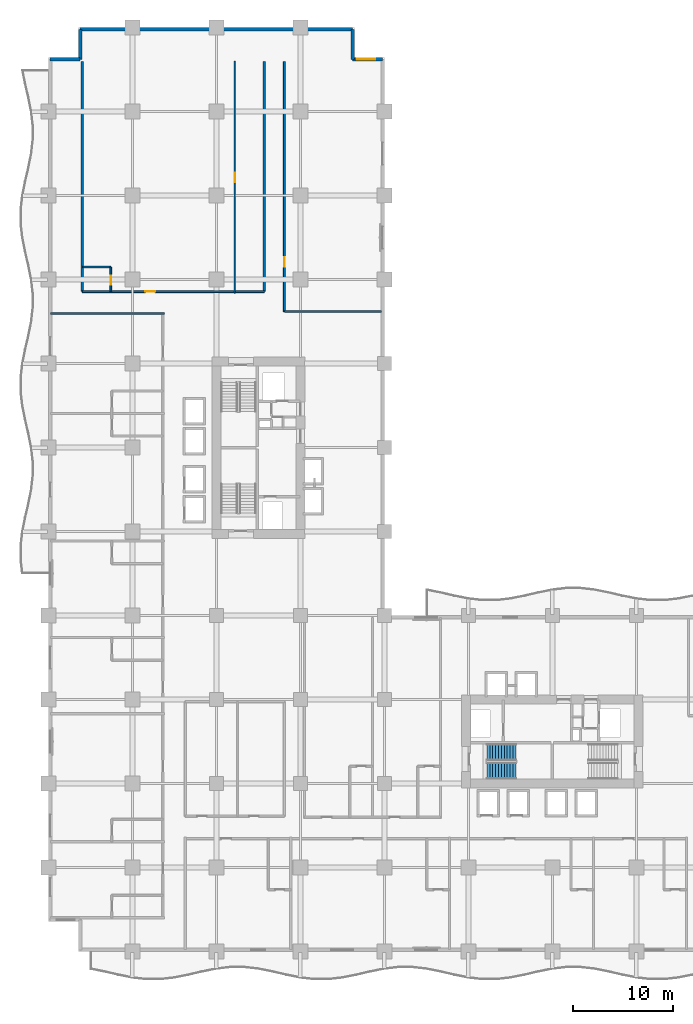
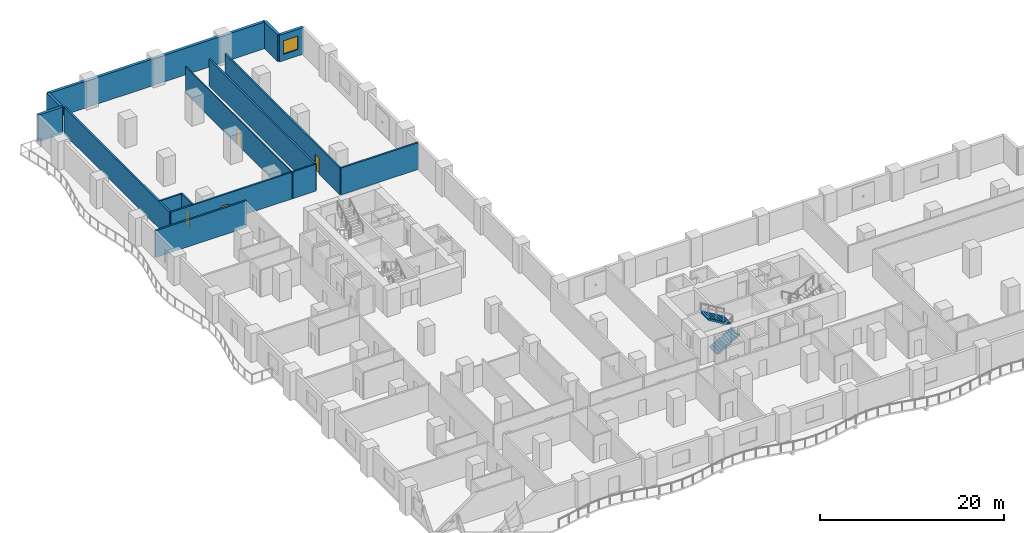
# One storey, part 13 of 20: 14 walls, 4 doors, 2 stair flights, 1 window, 5 openings, 1 element without a shape of its own.
"""IFC4 building model written with IfcOpenShell, lengths in metres."""

import ifcopenshell
import ifcopenshell.guid

model = None  # the IFC model being written
_history = None  # IfcOwnerHistory: only IFC2X3 demands one
_inside = {}  # id of a spatial element -> (the spatial element, [elements in it])
_under = {}  # id of a project, library or spatial element -> (it, [spatial elements below it])
_declared = {}  # id of a project -> (the project, [libraries it declares])
_typed = {}  # id of a type object -> (the type object, [elements of that type])
_made_of = {}  # id of a material, layer set ... -> (it, [elements and type objects made of it])


def new_model(schema):
    """Start an empty IFC model of exactly this schema.

    Asked for "IFC4X3", IfcOpenShell would pick the latest addendum, in which some entities
    have other attributes; the version numbers below select the first issue.
    IFC2X3 requires an IfcOwnerHistory on every rooted entity: one is made here for all.
    """
    global model, _history
    if schema == "IFC4X3":
        model = ifcopenshell.file(schema_version=(4, 3, 0, 0))
    else:
        model = ifcopenshell.file(schema=schema)
    _inside.clear()
    _under.clear()
    _declared.clear()
    _typed.clear()
    _made_of.clear()
    _history = None
    if model.schema == "IFC2X3":
        org = make("IfcOrganization", Name="unknown")
        user = make(
            "IfcPersonAndOrganization",
            ThePerson=make("IfcPerson", FamilyName="unknown"),
            TheOrganization=org,
        )
        app = make(
            "IfcApplication",
            ApplicationDeveloper=org,
            Version="unknown",
            ApplicationFullName="unknown",
            ApplicationIdentifier="unknown",
        )
        _history = make(
            "IfcOwnerHistory",
            OwningUser=user,
            OwningApplication=app,
            ChangeAction="ADDED",
            CreationDate=0,
        )
    return model


def make(cls, **values):
    """One entity of the class cls with the attributes given. An attribute that is None is left unset."""
    return model.create_entity(
        cls, **{name: value for name, value in values.items() if value is not None}
    )


def rooted(cls, **values):
    """An entity with a GlobalId (a new one), such as an element, a storey or a relation."""
    return make(cls, GlobalId=ifcopenshell.guid.new(), OwnerHistory=_history, **values)


def si_unit(unit_type, name, prefix=None):
    """IfcSIUnit, for example si_unit("LENGTHUNIT", "METRE", prefix="MILLI")."""
    return make("IfcSIUnit", UnitType=unit_type, Prefix=prefix, Name=name)


def assignment(units):
    """IfcUnitAssignment: the units of a project."""
    return None if units is None else make("IfcUnitAssignment", Units=units)


def point(xyz):
    """IfcCartesianPoint."""
    return None if xyz is None else make("IfcCartesianPoint", Coordinates=xyz)


def direction(xyz):
    """IfcDirection."""
    return None if xyz is None else make("IfcDirection", DirectionRatios=xyz)


def frame(location, z_axis=None, x_axis=None):
    """IfcAxis2Placement3D, a coordinate frame: its origin and axes. An axis left out is left unset."""
    return make(
        "IfcAxis2Placement3D",
        Location=point(location),
        Axis=direction(z_axis),
        RefDirection=direction(x_axis),
    )


def frame_2d(location, x_axis=None):
    """IfcAxis2Placement2D, a coordinate frame in the plane: its origin and x axis."""
    return make(
        "IfcAxis2Placement2D", Location=point(location), RefDirection=direction(x_axis)
    )


def origin():
    """The frame at (0, 0, 0) with its axes left unset."""
    return frame((0.0, 0.0, 0.0))


def place(relative_to, where):
    """IfcLocalPlacement: puts the frame where relative to a parent placement (None: the world)."""
    return make(
        "IfcLocalPlacement", PlacementRelTo=relative_to, RelativePlacement=where
    )


def context(
    kind, dimensions, precision=None, world=None, true_north=None, identifier=None
):
    """IfcGeometricRepresentationContext, for example the 3D "Model" context."""
    return make(
        "IfcGeometricRepresentationContext",
        ContextIdentifier=identifier,
        ContextType=kind,
        CoordinateSpaceDimension=dimensions,
        Precision=precision,
        WorldCoordinateSystem=world,
        TrueNorth=true_north,
    )


def subcontext(parent, identifier, kind, view, scale=None):
    """IfcGeometricRepresentationSubContext, for example "Body" below "Model"."""
    return make(
        "IfcGeometricRepresentationSubContext",
        ContextIdentifier=identifier,
        ContextType=kind,
        ParentContext=parent,
        TargetScale=scale,
        TargetView=view,
    )


def project(units=None, contexts=None):
    """IfcProject with its units and contexts."""
    return rooted(
        "IfcProject",
        Name="project",
        RepresentationContexts=contexts,
        UnitsInContext=assignment(units),
    )


def spatial(cls, under=None, at=None, **own):
    """A site, building, storey or space (cls), placed at a placement, below another one or the project."""
    s = rooted(cls, ObjectPlacement=at, **own)
    if under is not None:
        _under.setdefault(under.id(), (under, []))[1].append(s)
    return s


def polyline(points):
    """IfcPolyline through the points."""
    return make("IfcPolyline", Points=[point(p) for p in points])


def profile(cls, at=None, kind="AREA", **sizes):
    """A parametric profile (cls). Its sizes go by their IFC names, for example OverallWidth=200.0."""
    return make(cls, ProfileType=kind, Position=at, **sizes)


def rectangle(**sizes):
    """IfcRectangleProfileDef."""
    return profile("IfcRectangleProfileDef", **sizes)


def outline(outer, holes=None, kind="AREA"):
    """IfcArbitraryClosedProfileDef: a profile drawn as a closed curve; with holes, ...WithVoids."""
    if holes is None:
        return make("IfcArbitraryClosedProfileDef", ProfileType=kind, OuterCurve=outer)
    return make(
        "IfcArbitraryProfileDefWithVoids",
        ProfileType=kind,
        OuterCurve=outer,
        InnerCurves=holes,
    )


def extrude(swept, where, along, depth):
    """IfcExtrudedAreaSolid: the profile swept, set in the frame where, extruded along a direction by depth."""
    return make(
        "IfcExtrudedAreaSolid",
        SweptArea=swept,
        Position=where,
        ExtrudedDirection=direction(along),
        Depth=depth,
    )


def shape(context_of_items, identifier, shape_type, items):
    """IfcShapeRepresentation: the items that make up one representation, for example the "Body"."""
    return make(
        "IfcShapeRepresentation",
        ContextOfItems=context_of_items,
        RepresentationIdentifier=identifier,
        RepresentationType=shape_type,
        Items=items,
    )


def material(Name=None, Category=None):
    """IfcMaterial."""
    return make("IfcMaterial", Name=Name, Category=Category)


def layer(
    of_material, thickness, ventilated=None, Name=None, Category=None, Priority=None
):
    """IfcMaterialLayer: one layer of a wall or slab, of a material (None: an air gap)."""
    return make(
        "IfcMaterialLayer",
        Material=of_material,
        LayerThickness=thickness,
        IsVentilated=ventilated,
        Name=Name,
        Category=Category,
        Priority=Priority,
    )


def layer_set(layers, Name=None):
    """IfcMaterialLayerSet."""
    return make("IfcMaterialLayerSet", MaterialLayers=layers, LayerSetName=Name)


def made_of(thing, what):
    """Note that an element or type object is made of a material, layer set ...; save() writes the relation."""
    if what is not None:
        _made_of.setdefault(what.id(), (what, []))[1].append(thing)
    return thing


def type_object(cls, material=None, **own):
    """A type object (cls), such as IfcWallType, which elements share."""
    return made_of(rooted(cls, **own), material)


def element(
    cls,
    number,
    at=None,
    inside=None,
    cuts=None,
    type_object=None,
    material=None,
    context=None,
    identifier="Body",
    shape_type=None,
    held_by="IfcProductDefinitionShape",
    body=None,
    shapes=None,
    **own,
):
    """One element of the class cls, such as IfcWall. Its Tag is "e" and its number.

    at: its placement. inside: the storey or other place that contains it. cuts: it is an
    opening in that element (IfcRelVoidsElement). A single representation is given by context,
    identifier, shape_type and body (its items); several are given by shapes. held_by: the class
    of the entity that holds the representations. save() writes the other relations.
    """
    e = rooted(cls, Tag="e%d" % number, ObjectPlacement=at, **own)
    if body is not None:
        shapes = [shape(context, identifier, shape_type, body)]
    if shapes is not None:
        e.Representation = make(held_by, Representations=shapes)
    if inside is not None:
        _inside.setdefault(inside.id(), (inside, []))[1].append(e)
    if cuts is not None:
        rooted(
            "IfcRelVoidsElement", RelatingBuildingElement=cuts, RelatedOpeningElement=e
        )
    if type_object is not None:
        _typed.setdefault(type_object.id(), (type_object, []))[1].append(e)
    return made_of(e, material)


def fill(opening, filler):
    """IfcRelFillsElement: the door or window that sits in an opening."""
    return rooted(
        "IfcRelFillsElement",
        RelatingOpeningElement=opening,
        RelatedBuildingElement=filler,
    )


def aggregate(whole, parts):
    """IfcRelAggregates: a whole, such as a stair, and the parts it consists of."""
    return rooted("IfcRelAggregates", RelatingObject=whole, RelatedObjects=parts)


def save(model, path):
    """Write the relations noted so far, then the file.

    IfcRelAggregates (storeys below a building ...), IfcRelContainedInSpatialStructure (elements
    in a storey), IfcRelDefinesByType, IfcRelAssociatesMaterial and IfcRelDeclares: one each for
    every whole, place, type object, material and project.
    """
    for whole, parts in _under.values():
        aggregate(whole, parts)
    for where, things in _inside.values():
        rooted(
            "IfcRelContainedInSpatialStructure",
            RelatedElements=things,
            RelatingStructure=where,
        )
    for kind, things in _typed.values():
        rooted("IfcRelDefinesByType", RelatedObjects=things, RelatingType=kind)
    for what, things in _made_of.values():
        rooted("IfcRelAssociatesMaterial", RelatedObjects=things, RelatingMaterial=what)
    for by, libraries in _declared.values():
        rooted("IfcRelDeclares", RelatingContext=by, RelatedDefinitions=libraries)
    model.write(path)


model = new_model("IFC4")

# Units and contexts
model_context = context("Model", 3, precision=1e-05, world=origin(), true_north=direction((0.0, 1.0)))
body_context = subcontext(model_context, "Body", "Model", "MODEL_VIEW")
ifc_project = project(units=[si_unit("LENGTHUNIT", "METRE"), si_unit("AREAUNIT", "SQUARE_METRE"), si_unit("VOLUMEUNIT", "CUBIC_METRE"), si_unit("PLANEANGLEUNIT", "RADIAN"), si_unit("MASSUNIT", "GRAM", prefix="KILO")], contexts=[model_context])

# Site, building, storey
site_placement = place(None, origin())
site = spatial("IfcSite", under=ifc_project, at=site_placement, CompositionType="ELEMENT")
building_placement = place(site_placement, origin())
building = spatial("IfcBuilding", under=site, at=building_placement, Name="Koriwani Terraces Tower", CompositionType="ELEMENT")
storey_placement = place(building_placement, frame((0.0, 0.0, 73.800048828125)))
storey = spatial("IfcBuildingStorey", under=building, at=storey_placement, Name="L17", CompositionType="ELEMENT", Elevation=73.800048828125)

# Wall, opening, door
ifc_material_1 = material(Name="Autoclaved Cellular Concrete Blockwork", Category="masonry")
ifc_layer_1 = layer(ifc_material_1, 0.199951171875, Name="Autoclaved Cellular Concrete Blockwork")
ifc_layer_set_1 = layer_set([ifc_layer_1], Name="Autoclaved Cellular Concrete Blockwork")
wall_type_1 = type_object("IfcWallType", Name="WALL_CORRIDOR_200", PredefinedType="PARTITIONING", material=ifc_layer_set_1)
wall_1_placement = place(storey_placement, frame((3.39990234375, 66.0, 0.0), z_axis=(0.0, 0.0, 1.0), x_axis=(1.0, 0.0, 0.0)))
wall_1 = element("IfcWall", 1, at=wall_1_placement, inside=storey, type_object=wall_type_1, Name="L17 Interior Wall WGB-L17-NTIP-S", PredefinedType="PARTITIONING", context=body_context, shape_type="SweptSolid", body=[
    extrude(rectangle(XDim=18.2001953125, YDim=0.199951171875, at=frame_2d((9.10009765625, 0.0))), origin(), (0.0, 0.0, 1.0), 3.550048828125),
])
opening_1_placement = place(wall_1_placement, frame((6.300048828125, 0.0, 0.0)))
opening_1 = element("IfcOpeningElement", 2, at=opening_1_placement, cuts=wall_1, Name="Opening D-05", PredefinedType="OPENING", context=body_context, shape_type="SweptSolid", body=[
    extrude(rectangle(XDim=1.0, YDim=2.14990234375, at=frame_2d((0.5, 1.074951171875))), frame((0.0, 0.10986328125, 0.0), z_axis=(0.0, -1.0, 0.0), x_axis=(1.0, 0.0, 0.0)), (0.0, 0.0, 1.0), 0.219970703125),
])
ifc_material_2 = material(Name="Architectural Oak Fire Door", Category="wood")
door_type_1 = type_object("IfcDoorType", Name="DOOR_SUITE_ENTRY_1000X2150", OperationType="NOTDEFINED", PredefinedType="DOOR", material=ifc_material_2)
door_1_placement = place(opening_1_placement, origin())
door_1 = element("IfcDoor", 3, at=door_1_placement, inside=storey, type_object=door_type_1, Name="Presidential Wing Suite 17N Entrance Door", OperationType="SINGLE_SWING_LEFT", OverallHeight=2.14990234375, OverallWidth=1.0, PredefinedType="DOOR", context=body_context, shape_type="SweptSolid", body=[
    extrude(rectangle(XDim=1.0, YDim=2.14990234375, at=frame_2d((0.5, 1.074951171875))), frame((0.0, 0.02490234375, 0.0), z_axis=(0.0, -1.0, 0.0), x_axis=(1.0, 0.0, 0.0)), (0.0, 0.0, 1.0), 0.050048828125),
])
fill(opening_1, door_1)

wall_2_placement = place(storey_placement, frame((23.60009765625, 64.0, 0.0), z_axis=(0.0, 0.0, 1.0), x_axis=(0.0, 1.0, 0.0)))
wall_2 = element("IfcWall", 4, at=wall_2_placement, inside=storey, type_object=wall_type_1, Name="L17 Interior Wall WNTIP2-W-L17", PredefinedType="PARTITIONING", context=body_context, shape_type="SweptSolid", body=[
    extrude(rectangle(XDim=25.0, YDim=0.199951171875, at=frame_2d((12.5, 0.0))), origin(), (0.0, 0.0, 1.0), 3.550048828125),
])
opening_2_placement = place(wall_2_placement, frame((4.5, 0.0, 0.0)))
opening_2 = element("IfcOpeningElement", 5, at=opening_2_placement, cuts=wall_2, Name="Opening D-06", PredefinedType="OPENING", context=body_context, shape_type="SweptSolid", body=[
    extrude(rectangle(XDim=0.919921875, YDim=2.10009765625, at=frame_2d((0.4599609375, 1.050048828125))), frame((0.0, 0.10986328125, 0.0), z_axis=(0.0, -1.0, 0.0), x_axis=(1.0, 0.0, 0.0)), (0.0, 0.0, 1.0), 0.219970703125),
])
door_type_2 = type_object("IfcDoorType", Name="DOOR_ROOM_INT_920X2100", OperationType="NOTDEFINED", PredefinedType="DOOR", material=ifc_material_2)
door_2_placement = place(opening_2_placement, origin())
door_2 = element("IfcDoor", 6, at=door_2_placement, inside=storey, type_object=door_type_2, Name="L17 North Panorama Salon Door", OperationType="SINGLE_SWING_RIGHT", OverallHeight=2.10009765625, OverallWidth=0.919921875, PredefinedType="DOOR", context=body_context, shape_type="SweptSolid", body=[
    extrude(rectangle(XDim=0.919921875, YDim=2.10009765625, at=frame_2d((0.4599609375, 1.050048828125))), frame((0.0, 0.02490234375, 0.0), z_axis=(0.0, -1.0, 0.0), x_axis=(1.0, 0.0, 0.0)), (0.0, 0.0, 1.0), 0.050048828125),
])
fill(opening_2, door_2)

# Walls
ifc_layer_2 = layer(ifc_material_1, 0.219970703125, Name="Autoclaved Cellular Concrete Blockwork")
ifc_layer_set_2 = layer_set([ifc_layer_2], Name="Autoclaved Cellular Concrete Blockwork")
wall_type_2 = type_object("IfcWallType", Name="WALL_DEMISING_220", PredefinedType="PARTITIONING", material=ifc_layer_set_2)
wall_3_placement = place(storey_placement, frame((0.199951171875, 63.800048828125, 0.0), z_axis=(0.0, 0.0, 1.0), x_axis=(1.0, 0.0, 0.0)))
element("IfcWall", 7, at=wall_3_placement, inside=storey, type_object=wall_type_2, Name="L17 Interior Wall WDEME-L17-NW", PredefinedType="PARTITIONING", context=body_context, shape_type="SweptSolid", body=[
    extrude(rectangle(XDim=11.429931640625, YDim=0.219970703125, at=frame_2d((5.71484375, 0.0))), origin(), (0.0, 0.0, 1.0), 3.550048828125),
])
for number, where, z_axis, x_axis, name in (
    (8, (21.60009765625, 66.0, 0.0), (0.0, 0.0, 1.0), (0.0, 1.0, 0.0), "L17 Interior Wall WGB-L17-NTIP-E"),
    (9, (3.39990234375, 66.0, 0.0), (0.0, 0.0, 1.0), (0.0, 1.0, 0.0), "L17 Interior Wall WGB-L17-NTIP-W"),
):
    element("IfcWall", number, at=place(storey_placement, frame(where, z_axis=z_axis, x_axis=x_axis)), inside=storey, type_object=wall_type_2, Name=name, PredefinedType="PARTITIONING", context=body_context, shape_type="SweptSolid", body=[
        extrude(rectangle(XDim=23.0, YDim=0.219970703125, at=frame_2d((11.5, 0.0))), origin(), (0.0, 0.0, 1.0), 3.550048828125),
    ])
wall_4_placement = place(storey_placement, frame((23.60009765625, 64.0, 0.0), z_axis=(0.0, 0.0, 1.0), x_axis=(1.0, 0.0, 0.0)))
element("IfcWall", 10, at=wall_4_placement, inside=storey, type_object=wall_type_2, Name="L17 Interior Wall WNTIP2-S-L17", PredefinedType="PARTITIONING", context=body_context, shape_type="SweptSolid", body=[
    extrude(rectangle(XDim=9.699951171875, YDim=0.219970703125, at=frame_2d((4.85009765625, 0.0))), origin(), (0.0, 0.0, 1.0), 3.550048828125),
])
ifc_material_3 = material(Name="Concrete C50/60", Category="concrete")
ifc_layer_3 = layer(ifc_material_3, 0.35009765625, Name="Concrete C50/60")
ifc_layer_set_3 = layer_set([ifc_layer_3], Name="Concrete C50/60")
wall_type_3 = type_object("IfcWallType", Name="WALL_EXT_BRUTALIST_350", PredefinedType="STANDARD", material=ifc_layer_set_3)
for number, where, z_axis, x_axis, name in (
    (11, (0.175048828125, 89.22509765625, 0.0), (0.0, 0.0, 1.0), (1.0, 0.0, 0.0), "L17 Fair-Faced Brutalist Exterior Wall (N3)"),
    (12, (3.175048828125, 89.22509765625, 0.0), (0.0, 0.0, 1.0), (0.0, 1.0, 0.0), "L17 Fair-Faced Brutalist Exterior Wall (N4)"),
):
    element("IfcWall", number, at=place(storey_placement, frame(where, z_axis=z_axis, x_axis=x_axis)), inside=storey, type_object=wall_type_3, Name=name, PredefinedType="STANDARD", context=body_context, shape_type="SweptSolid", body=[
        extrude(rectangle(XDim=3.0, YDim=0.35009765625, at=frame_2d((1.5, 0.0))), origin(), (0.0, 0.0, 1.0), 3.550048828125),
    ])
wall_5_placement = place(storey_placement, frame((3.175048828125, 92.22509765625, 0.0), z_axis=(0.0, 0.0, 1.0), x_axis=(1.0, 0.0, 0.0)))
element("IfcWall", 13, at=wall_5_placement, inside=storey, type_object=wall_type_3, Name="L17 Fair-Faced Brutalist Exterior Wall (N_TIP)", PredefinedType="STANDARD", context=body_context, shape_type="SweptSolid", body=[
    extrude(rectangle(XDim=27.25, YDim=0.35009765625, at=frame_2d((13.625, 0.0))), origin(), (0.0, 0.0, 1.0), 3.550048828125),
])
wall_6_placement = place(storey_placement, frame((30.425048828125, 92.22509765625, 0.0), z_axis=(0.0, 0.0, 1.0), x_axis=(0.0, -1.0, 0.0)))
element("IfcWall", 14, at=wall_6_placement, inside=storey, type_object=wall_type_3, Name="L17 Fair-Faced Brutalist Exterior Wall (N6)", PredefinedType="STANDARD", context=body_context, shape_type="SweptSolid", body=[
    extrude(rectangle(XDim=3.0, YDim=0.35009765625, at=frame_2d((1.5, 0.0))), origin(), (0.0, 0.0, 1.0), 3.550048828125),
])

# Wall, opening, window
wall_7_placement = place(storey_placement, frame((30.425048828125, 89.22509765625, 0.0), z_axis=(0.0, 0.0, 1.0), x_axis=(1.0, 0.0, 0.0)))
wall_7 = element("IfcWall", 15, at=wall_7_placement, inside=storey, type_object=wall_type_3, Name="L17 Fair-Faced Brutalist Exterior Wall (N7)", PredefinedType="STANDARD", context=body_context, shape_type="SweptSolid", body=[
    extrude(rectangle(XDim=3.0, YDim=0.35009765625, at=frame_2d((1.5, 0.0))), origin(), (0.0, 0.0, 1.0), 3.550048828125),
])
opening_3_placement = place(wall_7_placement, frame((0.487548828125, 0.0, 0.85009765625)))
opening_3 = element("IfcOpeningElement", 16, at=opening_3_placement, cuts=wall_7, Name="Opening W-04", PredefinedType="OPENING", context=body_context, shape_type="SweptSolid", body=[
    extrude(rectangle(XDim=1.800048828125, YDim=1.800048828125, at=frame_2d((0.89990234375, 0.89990234375))), frame((0.0, 0.18505859375, 0.0), z_axis=(0.0, -1.0, 0.0), x_axis=(1.0, 0.0, 0.0)), (0.0, 0.0, 1.0), 0.3701171875),
])
ifc_material_4 = material(Name="Tempered Laminated Low-E Glass", Category="glass")
window_type = type_object("IfcWindowType", Name="WIN_RES_BED_1800X1800", PartitioningType="DOUBLE_PANEL_VERTICAL", PredefinedType="WINDOW", material=ifc_material_4)
window_placement = place(opening_3_placement, origin())
window = element("IfcWindow", 17, at=window_placement, inside=storey, type_object=window_type, Name="L17 Exterior Window (N7-R59)", OverallHeight=1.800048828125, OverallWidth=1.800048828125, PartitioningType="SINGLE_PANEL", PredefinedType="WINDOW", context=body_context, shape_type="SweptSolid", body=[
    extrude(rectangle(XDim=1.800048828125, YDim=1.800048828125, at=frame_2d((0.89990234375, 0.89990234375))), frame((0.0, 0.030029296875, 0.0), z_axis=(0.0, -1.0, 0.0), x_axis=(1.0, 0.0, 0.0)), (0.0, 0.0, 1.0), 0.06005859375),
])
fill(opening_3, window)

# Wall, opening, door
ifc_material_5 = material(Name="Fire-Rated Acoustic Gypsum Partition", Category="masonry")
ifc_layer_4 = layer(ifc_material_5, 0.125, Name="Fire-Rated Acoustic Gypsum Partition")
ifc_layer_set_4 = layer_set([ifc_layer_4], Name="Fire-Rated Acoustic Gypsum Partition")
wall_type_4 = type_object("IfcWallType", Name="WALL_INT_125", PredefinedType="PARTITIONING", material=ifc_layer_set_4)
wall_8_placement = place(storey_placement, frame((18.64990234375, 65.85009765625, 0.0), z_axis=(0.0, 0.0, 1.0), x_axis=(0.0, 1.0, 0.0)))
wall_8 = element("IfcWall", 18, at=wall_8_placement, inside=storey, type_object=wall_type_4, Name="L17 Interior Wall WGB-L17-NTIP-BD", PredefinedType="PARTITIONING", context=body_context, shape_type="SweptSolid", body=[
    extrude(rectangle(XDim=23.199951171875, YDim=0.125, at=frame_2d((11.60009765625, 0.0))), origin(), (0.0, 0.0, 1.0), 3.550048828125),
])
opening_4_placement = place(wall_8_placement, frame((11.10009765625, 0.0, 0.0)))
opening_4 = element("IfcOpeningElement", 19, at=opening_4_placement, cuts=wall_8, Name="Opening D-06", PredefinedType="OPENING", context=body_context, shape_type="SweptSolid", body=[
    extrude(rectangle(XDim=0.919921875, YDim=2.10009765625, at=frame_2d((0.4599609375, 1.050048828125))), frame((0.0, 0.072509765625, 0.0), z_axis=(0.0, -1.0, 0.0), x_axis=(1.0, 0.0, 0.0)), (0.0, 0.0, 1.0), 0.14501953125),
])
door_3_placement = place(opening_4_placement, origin())
door_3 = element("IfcDoor", 20, at=door_3_placement, inside=storey, type_object=door_type_2, Name="Presidential Wing Suite 17N Master Suite Door", OperationType="SINGLE_SWING_LEFT", OverallHeight=2.10009765625, OverallWidth=0.919921875, PredefinedType="DOOR", context=body_context, shape_type="SweptSolid", body=[
    extrude(rectangle(XDim=0.919921875, YDim=2.10009765625, at=frame_2d((0.4599609375, 1.050048828125))), frame((0.0, 0.02490234375, 0.0), z_axis=(0.0, -1.0, 0.0), x_axis=(1.0, 0.0, 0.0)), (0.0, 0.0, 1.0), 0.050048828125),
])
fill(opening_4, door_3)

ifc_layer_5 = layer(ifc_material_5, 0.179931640625, Name="Fire-Rated Acoustic Gypsum Partition")
ifc_layer_set_5 = layer_set([ifc_layer_5], Name="Fire-Rated Acoustic Gypsum Partition")
wall_type_5 = type_object("IfcWallType", Name="WALL_PLUMBING_180", PredefinedType="PLUMBINGWALL", material=ifc_layer_set_5)
wall_9_placement = place(storey_placement, frame((6.25, 66.050048828125, 0.0), z_axis=(0.0, 0.0, 1.0), x_axis=(0.0, 1.0, 0.0)))
wall_9 = element("IfcWall", 21, at=wall_9_placement, inside=storey, type_object=wall_type_5, Name="L17 Interior Wall WGB-L17-NTIP-SVB", PredefinedType="PLUMBINGWALL", context=body_context, shape_type="SweptSolid", body=[
    extrude(rectangle(XDim=2.39990234375, YDim=0.179931640625, at=frame_2d((1.199951171875, 0.0))), origin(), (0.0, 0.0, 1.0), 3.550048828125),
])
opening_5_placement = place(wall_9_placement, frame((0.64990234375, 0.0, 0.0)))
opening_5 = element("IfcOpeningElement", 22, at=opening_5_placement, cuts=wall_9, Name="Opening D-07", PredefinedType="OPENING", context=body_context, shape_type="SweptSolid", body=[
    extrude(rectangle(XDim=0.89990234375, YDim=2.10009765625, at=frame_2d((0.449951171875, 1.050048828125))), frame((0.0, 0.10009765625, 0.0), z_axis=(0.0, -1.0, 0.0), x_axis=(1.0, 0.0, 0.0)), (0.0, 0.0, 1.0), 0.199951171875),
])
door_type_3 = type_object("IfcDoorType", Name="DOOR_BATH_INT_900X2100", OperationType="NOTDEFINED", PredefinedType="DOOR", material=ifc_material_2)
door_4_placement = place(opening_5_placement, origin())
door_4 = element("IfcDoor", 23, at=door_4_placement, inside=storey, type_object=door_type_3, Name="Presidential Wing Suite 17N Bathroom Door", OperationType="SINGLE_SWING_RIGHT", OverallHeight=2.10009765625, OverallWidth=0.89990234375, PredefinedType="DOOR", context=body_context, shape_type="SweptSolid", body=[
    extrude(rectangle(XDim=0.89990234375, YDim=2.10009765625, at=frame_2d((0.449951171875, 1.050048828125))), frame((0.0, 0.02490234375, 0.0), z_axis=(0.0, -1.0, 0.0), x_axis=(1.0, 0.0, 0.0)), (0.0, 0.0, 1.0), 0.050048828125),
])
fill(opening_5, door_4)

# Wall
wall_10_placement = place(storey_placement, frame((3.449951171875, 68.449951171875, 0.0), z_axis=(0.0, 0.0, 1.0), x_axis=(1.0, 0.0, 0.0)))
element("IfcWall", 24, at=wall_10_placement, inside=storey, type_object=wall_type_5, Name="L17 Interior Wall WGB-L17-NTIP-SV2", PredefinedType="PLUMBINGWALL", context=body_context, shape_type="SweptSolid", body=[
    extrude(rectangle(XDim=2.800048828125, YDim=0.179931640625, at=frame_2d((1.39990234375, 0.0))), origin(), (0.0, 0.0, 1.0), 3.550048828125),
])

# Stair, stair flights
ifc_material_6 = material(Name="Concrete C40/50", Category="concrete")
stair_type = type_object("IfcStairType", Name="STAIR_CORE_DOGLEG_1650", PredefinedType="TWO_STRAIGHT_RUN_STAIR", material=ifc_material_6)
stair_placement = place(storey_placement, origin())
stair = element("IfcStair", 25, at=stair_placement, inside=storey, type_object=stair_type, Name="L17 East Core Exit Stair 1", PredefinedType="HALF_TURN_STAIR")
stair_flight_type = type_object("IfcStairFlightType", Name="STAIR_FLIGHT_RC_1650", PredefinedType="STRAIGHT", material=ifc_material_6)
stair_flight_1_placement = place(storey_placement, frame((43.85009765625, 18.074951171875, 0.0), z_axis=(0.0, 0.0, 1.0), x_axis=(1.0, 0.0, 0.0)))
stair_flight_1 = element("IfcStairFlight", 26, at=stair_flight_1_placement, type_object=stair_flight_type, Name="ST-E1 flight 1", NumberOfRisers=11, NumberOfTreads=10, PredefinedType="STRAIGHT", RiserHeight=0.172727273, TreadLength=0.29, context=body_context, shape_type="SweptSolid", body=[
    extrude(outline(polyline([(0.0, 0.0), (0.0, 0.172607421875), (0.2900390625, 0.172607421875), (0.2900390625, 0.345458984375), (0.580078125, 0.345458984375), (0.580078125, 0.51806640625), (0.8701171875, 0.51806640625), (0.8701171875, 0.69091796875), (1.159912109375, 0.69091796875), (1.159912109375, 0.863525390625), (1.449951171875, 0.863525390625), (1.449951171875, 1.036376953125), (1.739990234375, 1.036376953125), (1.739990234375, 1.208984375), (2.030029296875, 1.208984375), (2.030029296875, 1.3818359375), (2.320068359375, 1.3818359375), (2.320068359375, 1.554443359375), (2.610107421875, 1.554443359375), (2.610107421875, 1.727294921875), (2.89990234375, 1.727294921875), (2.89990234375, 1.89990234375), (2.89990234375, 1.517822265625), (0.3515625, 0.0), (0.0, 0.0)])), frame((0.0, 0.824951171875, 0.0), z_axis=(0.0, -1.0, 0.0), x_axis=(1.0, 0.0, 0.0)), (0.0, 0.0, 1.0), 1.64990234375),
])
stair_flight_2_placement = place(storey_placement, frame((46.75, 19.925048828125, 1.89990234375), z_axis=(0.0, 0.0, 1.0), x_axis=(-1.0, 0.0, 0.0)))
stair_flight_2 = element("IfcStairFlight", 27, at=stair_flight_2_placement, type_object=stair_flight_type, Name="ST-E1 flight 2", NumberOfRisers=11, NumberOfTreads=10, PredefinedType="STRAIGHT", RiserHeight=0.172727273, TreadLength=0.29, context=body_context, shape_type="SweptSolid", body=[
    extrude(outline(polyline([(0.0, 0.0), (0.0, 0.172607421875), (0.2900390625, 0.172607421875), (0.2900390625, 0.345458984375), (0.580078125, 0.345458984375), (0.580078125, 0.51806640625), (0.8701171875, 0.51806640625), (0.8701171875, 0.69091796875), (1.159912109375, 0.69091796875), (1.159912109375, 0.863525390625), (1.449951171875, 0.863525390625), (1.449951171875, 1.036376953125), (1.739990234375, 1.036376953125), (1.739990234375, 1.208984375), (2.030029296875, 1.208984375), (2.030029296875, 1.3818359375), (2.320068359375, 1.3818359375), (2.320068359375, 1.554443359375), (2.610107421875, 1.554443359375), (2.610107421875, 1.727294921875), (2.89990234375, 1.727294921875), (2.89990234375, 1.89990234375), (2.89990234375, 1.517822265625), (0.3515625, 0.0), (0.0, 0.0)])), frame((0.0, 0.824951171875, 0.0), z_axis=(0.0, -1.0, 0.0), x_axis=(1.0, 0.0, 0.0)), (0.0, 0.0, 1.0), 1.64990234375),
])
aggregate(stair, [stair_flight_1, stair_flight_2])

save(model, "model.ifc")
